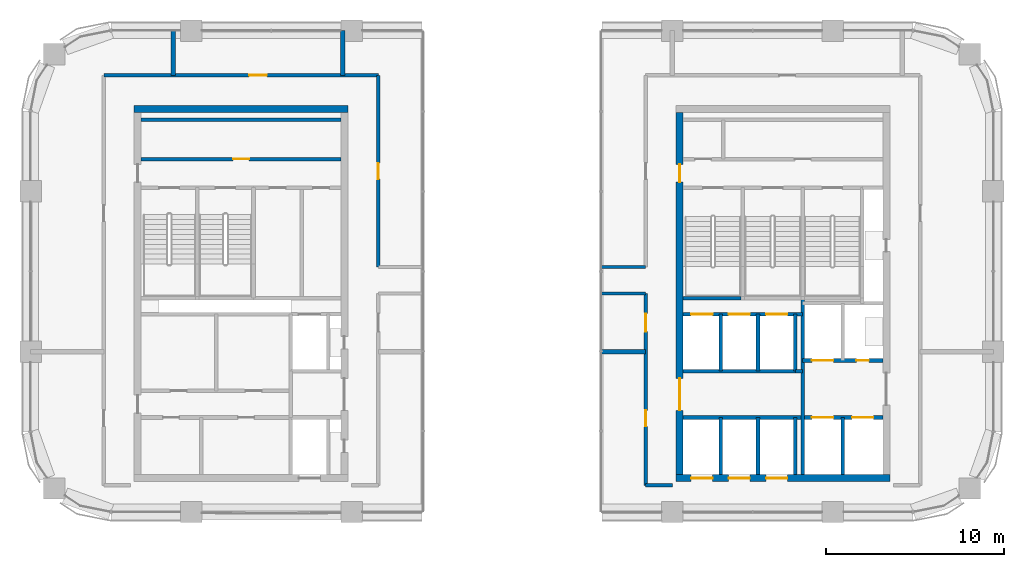
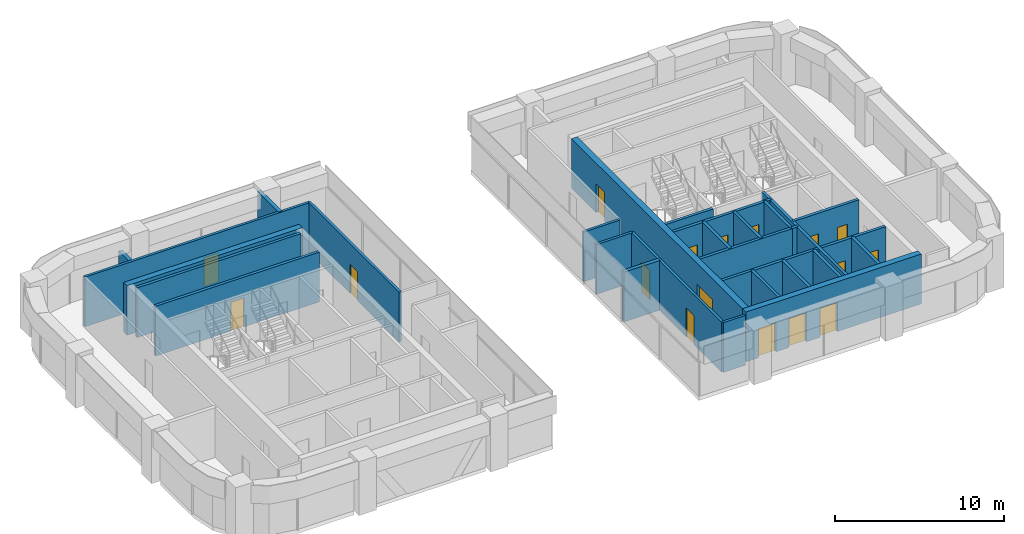
# One storey, part 7 of 11: 28 walls, 17 doors, 17 openings.
"""IFC4 building model written with IfcOpenShell, lengths in metres."""

import ifcopenshell
import ifcopenshell.guid

model = None  # the IFC model being written
_history = None  # IfcOwnerHistory: only IFC2X3 demands one
_inside = {}  # id of a spatial element -> (the spatial element, [elements in it])
_under = {}  # id of a project, library or spatial element -> (it, [spatial elements below it])
_declared = {}  # id of a project -> (the project, [libraries it declares])
_typed = {}  # id of a type object -> (the type object, [elements of that type])
_made_of = {}  # id of a material, layer set ... -> (it, [elements and type objects made of it])


def new_model(schema):
    """Start an empty IFC model of exactly this schema.

    Asked for "IFC4X3", IfcOpenShell would pick the latest addendum, in which some entities
    have other attributes; the version numbers below select the first issue.
    IFC2X3 requires an IfcOwnerHistory on every rooted entity: one is made here for all.
    """
    global model, _history
    if schema == "IFC4X3":
        model = ifcopenshell.file(schema_version=(4, 3, 0, 0))
    else:
        model = ifcopenshell.file(schema=schema)
    _inside.clear()
    _under.clear()
    _declared.clear()
    _typed.clear()
    _made_of.clear()
    _history = None
    if model.schema == "IFC2X3":
        org = make("IfcOrganization", Name="unknown")
        user = make(
            "IfcPersonAndOrganization",
            ThePerson=make("IfcPerson", FamilyName="unknown"),
            TheOrganization=org,
        )
        app = make(
            "IfcApplication",
            ApplicationDeveloper=org,
            Version="unknown",
            ApplicationFullName="unknown",
            ApplicationIdentifier="unknown",
        )
        _history = make(
            "IfcOwnerHistory",
            OwningUser=user,
            OwningApplication=app,
            ChangeAction="ADDED",
            CreationDate=0,
        )
    return model


def make(cls, **values):
    """One entity of the class cls with the attributes given. An attribute that is None is left unset."""
    return model.create_entity(
        cls, **{name: value for name, value in values.items() if value is not None}
    )


def rooted(cls, **values):
    """An entity with a GlobalId (a new one), such as an element, a storey or a relation."""
    return make(cls, GlobalId=ifcopenshell.guid.new(), OwnerHistory=_history, **values)


def si_unit(unit_type, name, prefix=None):
    """IfcSIUnit, for example si_unit("LENGTHUNIT", "METRE", prefix="MILLI")."""
    return make("IfcSIUnit", UnitType=unit_type, Prefix=prefix, Name=name)


def assignment(units):
    """IfcUnitAssignment: the units of a project."""
    return None if units is None else make("IfcUnitAssignment", Units=units)


def point(xyz):
    """IfcCartesianPoint."""
    return None if xyz is None else make("IfcCartesianPoint", Coordinates=xyz)


def direction(xyz):
    """IfcDirection."""
    return None if xyz is None else make("IfcDirection", DirectionRatios=xyz)


def frame(location, z_axis=None, x_axis=None):
    """IfcAxis2Placement3D, a coordinate frame: its origin and axes. An axis left out is left unset."""
    return make(
        "IfcAxis2Placement3D",
        Location=point(location),
        Axis=direction(z_axis),
        RefDirection=direction(x_axis),
    )


def frame_2d(location, x_axis=None):
    """IfcAxis2Placement2D, a coordinate frame in the plane: its origin and x axis."""
    return make(
        "IfcAxis2Placement2D", Location=point(location), RefDirection=direction(x_axis)
    )


def origin():
    """The frame at (0, 0, 0) with its axes left unset."""
    return frame((0.0, 0.0, 0.0))


def place(relative_to, where):
    """IfcLocalPlacement: puts the frame where relative to a parent placement (None: the world)."""
    return make(
        "IfcLocalPlacement", PlacementRelTo=relative_to, RelativePlacement=where
    )


def context(
    kind, dimensions, precision=None, world=None, true_north=None, identifier=None
):
    """IfcGeometricRepresentationContext, for example the 3D "Model" context."""
    return make(
        "IfcGeometricRepresentationContext",
        ContextIdentifier=identifier,
        ContextType=kind,
        CoordinateSpaceDimension=dimensions,
        Precision=precision,
        WorldCoordinateSystem=world,
        TrueNorth=true_north,
    )


def subcontext(parent, identifier, kind, view, scale=None):
    """IfcGeometricRepresentationSubContext, for example "Body" below "Model"."""
    return make(
        "IfcGeometricRepresentationSubContext",
        ContextIdentifier=identifier,
        ContextType=kind,
        ParentContext=parent,
        TargetScale=scale,
        TargetView=view,
    )


def project(units=None, contexts=None):
    """IfcProject with its units and contexts."""
    return rooted(
        "IfcProject",
        Name="project",
        RepresentationContexts=contexts,
        UnitsInContext=assignment(units),
    )


def spatial(cls, under=None, at=None, **own):
    """A site, building, storey or space (cls), placed at a placement, below another one or the project."""
    s = rooted(cls, ObjectPlacement=at, **own)
    if under is not None:
        _under.setdefault(under.id(), (under, []))[1].append(s)
    return s


def profile(cls, at=None, kind="AREA", **sizes):
    """A parametric profile (cls). Its sizes go by their IFC names, for example OverallWidth=200.0."""
    return make(cls, ProfileType=kind, Position=at, **sizes)


def rectangle(**sizes):
    """IfcRectangleProfileDef."""
    return profile("IfcRectangleProfileDef", **sizes)


def extrude(swept, where, along, depth):
    """IfcExtrudedAreaSolid: the profile swept, set in the frame where, extruded along a direction by depth."""
    return make(
        "IfcExtrudedAreaSolid",
        SweptArea=swept,
        Position=where,
        ExtrudedDirection=direction(along),
        Depth=depth,
    )


def shape(context_of_items, identifier, shape_type, items):
    """IfcShapeRepresentation: the items that make up one representation, for example the "Body"."""
    return make(
        "IfcShapeRepresentation",
        ContextOfItems=context_of_items,
        RepresentationIdentifier=identifier,
        RepresentationType=shape_type,
        Items=items,
    )


def material(Name=None, Category=None):
    """IfcMaterial."""
    return make("IfcMaterial", Name=Name, Category=Category)


def layer(
    of_material, thickness, ventilated=None, Name=None, Category=None, Priority=None
):
    """IfcMaterialLayer: one layer of a wall or slab, of a material (None: an air gap)."""
    return make(
        "IfcMaterialLayer",
        Material=of_material,
        LayerThickness=thickness,
        IsVentilated=ventilated,
        Name=Name,
        Category=Category,
        Priority=Priority,
    )


def layer_set(layers, Name=None):
    """IfcMaterialLayerSet."""
    return make("IfcMaterialLayerSet", MaterialLayers=layers, LayerSetName=Name)


def made_of(thing, what):
    """Note that an element or type object is made of a material, layer set ...; save() writes the relation."""
    if what is not None:
        _made_of.setdefault(what.id(), (what, []))[1].append(thing)
    return thing


def type_object(cls, material=None, **own):
    """A type object (cls), such as IfcWallType, which elements share."""
    return made_of(rooted(cls, **own), material)


def element(
    cls,
    number,
    at=None,
    inside=None,
    cuts=None,
    type_object=None,
    material=None,
    context=None,
    identifier="Body",
    shape_type=None,
    held_by="IfcProductDefinitionShape",
    body=None,
    shapes=None,
    **own,
):
    """One element of the class cls, such as IfcWall. Its Tag is "e" and its number.

    at: its placement. inside: the storey or other place that contains it. cuts: it is an
    opening in that element (IfcRelVoidsElement). A single representation is given by context,
    identifier, shape_type and body (its items); several are given by shapes. held_by: the class
    of the entity that holds the representations. save() writes the other relations.
    """
    e = rooted(cls, Tag="e%d" % number, ObjectPlacement=at, **own)
    if body is not None:
        shapes = [shape(context, identifier, shape_type, body)]
    if shapes is not None:
        e.Representation = make(held_by, Representations=shapes)
    if inside is not None:
        _inside.setdefault(inside.id(), (inside, []))[1].append(e)
    if cuts is not None:
        rooted(
            "IfcRelVoidsElement", RelatingBuildingElement=cuts, RelatedOpeningElement=e
        )
    if type_object is not None:
        _typed.setdefault(type_object.id(), (type_object, []))[1].append(e)
    return made_of(e, material)


def fill(opening, filler):
    """IfcRelFillsElement: the door or window that sits in an opening."""
    return rooted(
        "IfcRelFillsElement",
        RelatingOpeningElement=opening,
        RelatedBuildingElement=filler,
    )


def aggregate(whole, parts):
    """IfcRelAggregates: a whole, such as a stair, and the parts it consists of."""
    return rooted("IfcRelAggregates", RelatingObject=whole, RelatedObjects=parts)


def save(model, path):
    """Write the relations noted so far, then the file.

    IfcRelAggregates (storeys below a building ...), IfcRelContainedInSpatialStructure (elements
    in a storey), IfcRelDefinesByType, IfcRelAssociatesMaterial and IfcRelDeclares: one each for
    every whole, place, type object, material and project.
    """
    for whole, parts in _under.values():
        aggregate(whole, parts)
    for where, things in _inside.values():
        rooted(
            "IfcRelContainedInSpatialStructure",
            RelatedElements=things,
            RelatingStructure=where,
        )
    for kind, things in _typed.values():
        rooted("IfcRelDefinesByType", RelatedObjects=things, RelatingType=kind)
    for what, things in _made_of.values():
        rooted("IfcRelAssociatesMaterial", RelatedObjects=things, RelatingMaterial=what)
    for by, libraries in _declared.values():
        rooted("IfcRelDeclares", RelatingContext=by, RelatedDefinitions=libraries)
    model.write(path)


model = new_model("IFC4")

# Units and contexts
model_context = context("Model", 3, precision=1e-05, world=origin(), true_north=direction((0.0, 1.0)))
body_context = subcontext(model_context, "Body", "Model", "MODEL_VIEW")
ifc_project = project(units=[si_unit("LENGTHUNIT", "METRE"), si_unit("AREAUNIT", "SQUARE_METRE"), si_unit("VOLUMEUNIT", "CUBIC_METRE"), si_unit("PLANEANGLEUNIT", "RADIAN"), si_unit("MASSUNIT", "GRAM", prefix="KILO")], contexts=[model_context])

# Site, building, storey
site_placement = place(None, origin())
site = spatial("IfcSite", under=ifc_project, at=site_placement, CompositionType="ELEMENT")
building_placement = place(site_placement, origin())
building = spatial("IfcBuilding", under=site, at=building_placement, Name="Tessera Arch", CompositionType="ELEMENT")
storey_placement = place(building_placement, frame((0.0, 0.0, 211.10009765625)))
storey = spatial("IfcBuildingStorey", under=building, at=storey_placement, Name="L50", CompositionType="ELEMENT", Elevation=211.10009765625)

# Wall
ifc_material_1 = material(Name="Gypsum board on steel stud", Category="steel")
ifc_layer_1 = layer(ifc_material_1, 0.125)
ifc_layer_set_1 = layer_set([ifc_layer_1], Name="Core partition 125 EI 60")
wall_type_1 = type_object("IfcWallType", Name="Core partition 125 EI 60", PredefinedType="PARTITIONING", material=ifc_layer_set_1)
wall_1_placement = place(storey_placement, frame((42.89990234375, 34.89990234375, 0.0), z_axis=(0.0, 0.0, 1.0), x_axis=(1.0, 0.0, 0.0)))
element("IfcWall", 1, at=wall_1_placement, inside=storey, type_object=wall_type_1, Name="L50 C1 partition wall 19", PredefinedType="PARTITIONING", context=body_context, shape_type="SweptSolid", body=[
    extrude(rectangle(XDim=0.400146484375, YDim=0.199951171875, at=frame_2d((0.2001953125, 0.0))), origin(), (0.0, 0.0, 1.0), 3.599853515625),
])

# Wall, opening, door
wall_2_placement = place(storey_placement, frame((6.199951171875, 46.800048828125, 0.0), z_axis=(0.0, 0.0, 1.0), x_axis=(1.0, 0.0, 0.0)))
wall_2 = element("IfcWall", 2, at=wall_2_placement, inside=storey, type_object=wall_type_1, Name="L50 C2 partition wall 24", PredefinedType="PARTITIONING", context=body_context, shape_type="SweptSolid", body=[
    extrude(rectangle(XDim=11.199951171875, YDim=0.199951171875, at=frame_2d((5.60009765625, 0.0))), origin(), (0.0, 0.0, 1.0), 3.599853515625),
])
opening_1_placement = place(wall_2_placement, frame((5.14990234375, 0.0, 0.0)))
opening_1 = element("IfcOpeningElement", 3, at=opening_1_placement, cuts=wall_2, Name="Opening L50-C29", PredefinedType="OPENING", context=body_context, shape_type="SweptSolid", body=[
    extrude(rectangle(XDim=0.89990234375, YDim=2.10009765625, at=frame_2d((0.449951171875, 1.050048828125))), frame((0.0, 0.10986328125, 0.0), z_axis=(0.0, -1.0, 0.0), x_axis=(1.0, 0.0, 0.0)), (0.0, 0.0, 1.0), 0.219970703125),
])
ifc_material_2 = material(Name="Steel door leaf", Category="steel")
door_type_1 = type_object("IfcDoorType", Name="Store door FD30S 900 x 2100", OperationType="SINGLE_SWING_LEFT", PredefinedType="DOOR", material=ifc_material_2)
door_1_placement = place(opening_1_placement, origin())
door_1 = element("IfcDoor", 4, at=door_1_placement, inside=storey, type_object=door_type_1, Name="L50 C2 door 10 C29 type D09", OperationType="SINGLE_SWING_RIGHT", OverallHeight=2.10009765625, OverallWidth=0.89990234375, PredefinedType="DOOR", context=body_context, shape_type="SweptSolid", body=[
    extrude(rectangle(XDim=0.89990234375, YDim=2.10009765625, at=frame_2d((0.449951171875, 1.050048828125))), frame((0.0, 0.02490234375, 0.0), z_axis=(0.0, -1.0, 0.0), x_axis=(1.0, 0.0, 0.0)), (0.0, 0.0, 1.0), 0.050048828125),
])
fill(opening_1, door_1)

# Wall
wall_3_placement = place(storey_placement, frame((6.199951171875, 49.0, 0.0), z_axis=(0.0, 0.0, 1.0), x_axis=(1.0, 0.0, 0.0)))
element("IfcWall", 5, at=wall_3_placement, inside=storey, type_object=wall_type_1, Name="L50 C2 partition wall 25", PredefinedType="PARTITIONING", context=body_context, shape_type="SweptSolid", body=[
    extrude(rectangle(XDim=11.199951171875, YDim=0.199951171875, at=frame_2d((5.60009765625, 0.0))), origin(), (0.0, 0.0, 1.0), 3.599853515625),
])

# Wall, openings, doors
ifc_material_3 = material(Name="Concrete C50/60", Category="concrete")
ifc_layer_2 = layer(ifc_material_3, 0.39990234375)
ifc_layer_set_2 = layer_set([ifc_layer_2], Name="Core shell wall 400 C50-60")
wall_type_2 = type_object("IfcWallType", Name="Core shell wall 400 C50-60", PredefinedType="SHEAR", material=ifc_layer_set_2)
wall_4_placement = place(storey_placement, frame((36.199951171875, 28.89990234375, 0.0), z_axis=(0.0, 0.0, 1.0), x_axis=(1.0, 0.0, 0.0)))
wall_4 = element("IfcWall", 6, at=wall_4_placement, inside=storey, type_object=wall_type_2, Name="L50 C1 core wall S", PredefinedType="SHEAR", context=body_context, shape_type="SweptSolid", body=[
    extrude(rectangle(XDim=12.0, YDim=0.39990234375, at=frame_2d((6.0, 0.0))), origin(), (0.0, 0.0, 1.0), 3.599853515625),
])
opening_2_placement = place(wall_4_placement, frame((0.85009765625, 0.0, 0.0)))
opening_2 = element("IfcOpeningElement", 7, at=opening_2_placement, cuts=wall_4, Name="Opening L50-C01", PredefinedType="OPENING", context=body_context, shape_type="SweptSolid", body=[
    extrude(rectangle(XDim=1.199951171875, YDim=2.10009765625, at=frame_2d((0.60009765625, 1.050048828125))), frame((0.0, 0.2099609375, 0.0), z_axis=(0.0, -1.0, 0.0), x_axis=(1.0, 0.0, 0.0)), (0.0, 0.0, 1.0), 0.419921875),
])
opening_3_placement = place(wall_4_placement, frame((2.949951171875, 0.0, 0.0)))
opening_3 = element("IfcOpeningElement", 8, at=opening_3_placement, cuts=wall_4, Name="Opening L50-C03", PredefinedType="OPENING", context=body_context, shape_type="SweptSolid", body=[
    extrude(rectangle(XDim=1.199951171875, YDim=2.10009765625, at=frame_2d((0.60009765625, 1.050048828125))), frame((0.0, 0.2099609375, 0.0), z_axis=(0.0, -1.0, 0.0), x_axis=(1.0, 0.0, 0.0)), (0.0, 0.0, 1.0), 0.419921875),
])
opening_4_placement = place(wall_4_placement, frame((5.050048828125, 0.0, 0.0)))
opening_4 = element("IfcOpeningElement", 9, at=opening_4_placement, cuts=wall_4, Name="Opening L50-C05", PredefinedType="OPENING", context=body_context, shape_type="SweptSolid", body=[
    extrude(rectangle(XDim=1.199951171875, YDim=2.10009765625, at=frame_2d((0.60009765625, 1.050048828125))), frame((0.0, 0.2099609375, 0.0), z_axis=(0.0, -1.0, 0.0), x_axis=(1.0, 0.0, 0.0)), (0.0, 0.0, 1.0), 0.419921875),
])
ifc_material_4 = material(Name="Stainless steel AISI 304", Category="steel")
door_type_2 = type_object("IfcDoorType", Name="Sliding landing door 1200 x 2100", OperationType="SLIDING_TO_LEFT", PredefinedType="DOOR", material=ifc_material_4)
door_2_placement = place(opening_2_placement, origin())
door_2 = element("IfcDoor", 10, at=door_2_placement, inside=storey, type_object=door_type_2, Name="L50 HR1 lift landing door C01 type LD", OperationType="SLIDING_TO_LEFT", OverallHeight=2.10009765625, OverallWidth=1.199951171875, PredefinedType="DOOR", context=body_context, shape_type="SweptSolid", body=[
    extrude(rectangle(XDim=1.199951171875, YDim=2.10009765625, at=frame_2d((0.60009765625, 1.050048828125))), frame((0.0, 0.02490234375, 0.0), z_axis=(0.0, -1.0, 0.0), x_axis=(1.0, 0.0, 0.0)), (0.0, 0.0, 1.0), 0.050048828125),
])
fill(opening_2, door_2)
door_3_placement = place(opening_3_placement, origin())
door_3 = element("IfcDoor", 11, at=door_3_placement, inside=storey, type_object=door_type_2, Name="L50 HR2 lift landing door C03 type LD", OperationType="SLIDING_TO_LEFT", OverallHeight=2.10009765625, OverallWidth=1.199951171875, PredefinedType="DOOR", context=body_context, shape_type="SweptSolid", body=[
    extrude(rectangle(XDim=1.199951171875, YDim=2.10009765625, at=frame_2d((0.60009765625, 1.050048828125))), frame((0.0, 0.02490234375, 0.0), z_axis=(0.0, -1.0, 0.0), x_axis=(1.0, 0.0, 0.0)), (0.0, 0.0, 1.0), 0.050048828125),
])
fill(opening_3, door_3)
door_4_placement = place(opening_4_placement, origin())
door_4 = element("IfcDoor", 12, at=door_4_placement, inside=storey, type_object=door_type_2, Name="L50 HR3 lift landing door C05 type LD", OperationType="SLIDING_TO_LEFT", OverallHeight=2.10009765625, OverallWidth=1.199951171875, PredefinedType="DOOR", context=body_context, shape_type="SweptSolid", body=[
    extrude(rectangle(XDim=1.199951171875, YDim=2.10009765625, at=frame_2d((0.60009765625, 1.050048828125))), frame((0.0, 0.02490234375, 0.0), z_axis=(0.0, -1.0, 0.0), x_axis=(1.0, 0.0, 0.0)), (0.0, 0.0, 1.0), 0.050048828125),
])
fill(opening_4, door_4)

wall_5_placement = place(storey_placement, frame((36.39990234375, 29.10009765625, 0.0), z_axis=(0.0, 0.0, 1.0), x_axis=(0.0, 1.0, 0.0)))
wall_5 = element("IfcWall", 13, at=wall_5_placement, inside=storey, type_object=wall_type_2, Name="L50 C1 core wall W", PredefinedType="SHEAR", context=body_context, shape_type="SweptSolid", body=[
    extrude(rectangle(XDim=20.2998046875, YDim=0.39990234375, at=frame_2d((10.14990234375, 0.0))), origin(), (0.0, 0.0, 1.0), 3.599853515625),
])
opening_5_placement = place(wall_5_placement, frame((3.60009765625, 0.0, 0.0)))
opening_5 = element("IfcOpeningElement", 14, at=opening_5_placement, cuts=wall_5, Name="Opening L50-C10", PredefinedType="OPENING", context=body_context, shape_type="SweptSolid", body=[
    extrude(rectangle(XDim=1.800048828125, YDim=2.10009765625, at=frame_2d((0.89990234375, 1.050048828125))), frame((0.0, 0.2099609375, 0.0), z_axis=(0.0, -1.0, 0.0), x_axis=(1.0, 0.0, 0.0)), (0.0, 0.0, 1.0), 0.419921875),
])
opening_6_placement = place(wall_5_placement, frame((16.39990234375, 0.0, 0.0)))
opening_6 = element("IfcOpeningElement", 15, at=opening_6_placement, cuts=wall_5, Name="Opening L50-C17", PredefinedType="OPENING", context=body_context, shape_type="SweptSolid", body=[
    extrude(rectangle(XDim=1.0, YDim=2.10009765625, at=frame_2d((0.5, 1.050048828125))), frame((0.0, 0.2099609375, 0.0), z_axis=(0.0, -1.0, 0.0), x_axis=(1.0, 0.0, 0.0)), (0.0, 0.0, 1.0), 0.419921875),
])
ifc_material_5 = material(Name="Steel door leaf", Category="steel")
door_type_3 = type_object("IfcDoorType", Name="Corridor door FD60 1000 x 2100", OperationType="SINGLE_SWING_LEFT", PredefinedType="DOOR", material=ifc_material_5)
door_5_placement = place(opening_6_placement, origin())
door_5 = element("IfcDoor", 16, at=door_5_placement, inside=storey, type_object=door_type_3, Name="L50 C1 door 17 C17 type D12", OperationType="SINGLE_SWING_RIGHT", OverallHeight=2.10009765625, OverallWidth=1.0, PredefinedType="DOOR", context=body_context, shape_type="SweptSolid", body=[
    extrude(rectangle(XDim=1.0, YDim=2.10009765625, at=frame_2d((0.5, 1.050048828125))), frame((0.0, 0.02490234375, 0.0), z_axis=(0.0, -1.0, 0.0), x_axis=(1.0, 0.0, 0.0)), (0.0, 0.0, 1.0), 0.050048828125),
])
fill(opening_6, door_5)
ifc_material_6 = material(Name="Glazed steel door leaf", Category="steel")
door_type_4 = type_object("IfcDoorType", Name="Lobby double door FD30S 1800 x 2100", OperationType="DOUBLE_DOOR_SINGLE_SWING", PredefinedType="DOOR", material=ifc_material_6)
door_6_placement = place(opening_5_placement, origin())
door_6 = element("IfcDoor", 17, at=door_6_placement, inside=storey, type_object=door_type_4, Name="L50 C1 door 10 C10 type D06", OperationType="DOUBLE_DOOR_SINGLE_SWING", OverallHeight=2.10009765625, OverallWidth=1.800048828125, PredefinedType="DOOR", context=body_context, shape_type="SweptSolid", body=[
    extrude(rectangle(XDim=1.800048828125, YDim=2.10009765625, at=frame_2d((0.89990234375, 1.050048828125))), frame((0.0, 0.02490234375, 0.0), z_axis=(0.0, -1.0, 0.0), x_axis=(1.0, 0.0, 0.0)), (0.0, 0.0, 1.0), 0.050048828125),
])
fill(opening_5, door_6)

# Walls
wall_6_placement = place(storey_placement, frame((5.800048828125, 49.60009765625, 0.0), z_axis=(0.0, 0.0, 1.0), x_axis=(1.0, 0.0, 0.0)))
element("IfcWall", 18, at=wall_6_placement, inside=storey, type_object=wall_type_2, Name="L50 C2 core wall N", PredefinedType="SHEAR", context=body_context, shape_type="SweptSolid", body=[
    extrude(rectangle(XDim=12.0, YDim=0.39990234375, at=frame_2d((6.0, 0.0))), origin(), (0.0, 0.0, 1.0), 3.599853515625),
])
ifc_material_7 = material(Name="Gypsum board on deep steel stud with mineral wool", Category="steel")
ifc_layer_3 = layer(ifc_material_7, 0.175048828125)
ifc_layer_set_3 = layer_set([ifc_layer_3], Name="Corridor wall 175 EI 60")
wall_type_3 = type_object("IfcWallType", Name="Corridor wall 175 EI 60", PredefinedType="PARTITIONING", material=ifc_layer_set_3)
wall_7_placement = place(storey_placement, frame((34.5, 28.5, 0.0), z_axis=(0.0, 0.0, 1.0), x_axis=(1.0, 0.0, 0.0)))
element("IfcWall", 19, at=wall_7_placement, inside=storey, type_object=wall_type_3, Name="L50 partition 3", PredefinedType="PARTITIONING", context=body_context, shape_type="SweptSolid", body=[
    extrude(rectangle(XDim=1.5, YDim=0.175048828125, at=frame_2d((0.75, 0.0))), origin(), (0.0, 0.0, 1.0), 3.599853515625),
])
for number, where, z_axis, x_axis, name in (
    (20, (32.0, 39.25, 0.0), (0.0, 0.0, 1.0), (1.0, 0.0, 0.0), "L50 partition 6"),
    (21, (32.0, 40.75, 0.0), (0.0, 0.0, 1.0), (1.0, 0.0, 0.0), "L50 partition 8"),
):
    element("IfcWall", number, at=place(storey_placement, frame(where, z_axis=z_axis, x_axis=x_axis)), inside=storey, type_object=wall_type_3, Name=name, PredefinedType="PARTITIONING", context=body_context, shape_type="SweptSolid", body=[
        extrude(rectangle(XDim=2.5, YDim=0.175048828125, at=frame_2d((1.25, 0.0))), origin(), (0.0, 0.0, 1.0), 3.599853515625),
    ])

# Wall, opening, door
wall_8_placement = place(storey_placement, frame((4.10009765625, 51.5, 0.0), z_axis=(0.0, 0.0, 1.0), x_axis=(1.0, 0.0, 0.0)))
wall_8 = element("IfcWall", 22, at=wall_8_placement, inside=storey, type_object=wall_type_3, Name="L50 partition 9", PredefinedType="PARTITIONING", context=body_context, shape_type="SweptSolid", body=[
    extrude(rectangle(XDim=15.39990234375, YDim=0.175048828125, at=frame_2d((7.699951171875, 0.0))), origin(), (0.0, 0.0, 1.0), 3.599853515625),
])
opening_7_placement = place(wall_8_placement, frame((8.148681640625, 0.0, 0.0)))
opening_7 = element("IfcOpeningElement", 23, at=opening_7_placement, cuts=wall_8, Name="Opening L50-D009", PredefinedType="OPENING", context=body_context, shape_type="SweptSolid", body=[
    extrude(rectangle(XDim=1.0, YDim=2.10009765625, at=frame_2d((0.5, 1.050048828125))), frame((0.0, 0.097412109375, 0.0), z_axis=(0.0, -1.0, 0.0), x_axis=(1.0, 0.0, 0.0)), (0.0, 0.0, 1.0), 0.195068359375),
])
ifc_material_8 = material(Name="Fire-rated door leaf")
door_type_5 = type_object("IfcDoorType", Name="Entrance door FD30S 1000 x 2100", OperationType="SINGLE_SWING_LEFT", PredefinedType="DOOR", material=ifc_material_8)
door_7_placement = place(opening_7_placement, origin())
door_7 = element("IfcDoor", 24, at=door_7_placement, inside=storey, type_object=door_type_5, Name="L50 door D009 type D03", OperationType="SINGLE_SWING_LEFT", OverallHeight=2.10009765625, OverallWidth=1.0, PredefinedType="DOOR", context=body_context, shape_type="SweptSolid", body=[
    extrude(rectangle(XDim=1.0, YDim=2.10009765625, at=frame_2d((0.5, 1.050048828125))), frame((0.0, 0.02490234375, 0.0), z_axis=(0.0, -1.0, 0.0), x_axis=(1.0, 0.0, 0.0)), (0.0, 0.0, 1.0), 0.050048828125),
])
fill(opening_7, door_7)

wall_9_placement = place(storey_placement, frame((19.5, 40.75, 0.0), z_axis=(0.0, 0.0, 1.0), x_axis=(0.0, 1.0, 0.0)))
wall_9 = element("IfcWall", 25, at=wall_9_placement, inside=storey, type_object=wall_type_3, Name="L50 partition 13", PredefinedType="PARTITIONING", context=body_context, shape_type="SweptSolid", body=[
    extrude(rectangle(XDim=10.75, YDim=0.175048828125, at=frame_2d((5.375, 0.0))), origin(), (0.0, 0.0, 1.0), 3.599853515625),
])
opening_8_placement = place(wall_9_placement, frame((4.925048828125, 0.0, 0.0)))
opening_8 = element("IfcOpeningElement", 26, at=opening_8_placement, cuts=wall_9, Name="Opening L50-D008", PredefinedType="OPENING", context=body_context, shape_type="SweptSolid", body=[
    extrude(rectangle(XDim=0.89990234375, YDim=2.10009765625, at=frame_2d((0.449951171875, 1.050048828125))), frame((0.0, 0.097412109375, 0.0), z_axis=(0.0, -1.0, 0.0), x_axis=(1.0, 0.0, 0.0)), (0.0, 0.0, 1.0), 0.195068359375),
])
ifc_material_9 = material(Name="Timber door leaf", Category="wood")
door_type_6 = type_object("IfcDoorType", Name="Room door 900 x 2100", OperationType="SINGLE_SWING_LEFT", PredefinedType="DOOR", material=ifc_material_9)
door_8_placement = place(opening_8_placement, origin())
door_8 = element("IfcDoor", 27, at=door_8_placement, inside=storey, type_object=door_type_6, Name="L50 door D008 type D01", OperationType="SINGLE_SWING_LEFT", OverallHeight=2.10009765625, OverallWidth=0.89990234375, PredefinedType="DOOR", context=body_context, shape_type="SweptSolid", body=[
    extrude(rectangle(XDim=0.89990234375, YDim=2.10009765625, at=frame_2d((0.449951171875, 1.050048828125))), frame((0.0, 0.02490234375, 0.0), z_axis=(0.0, -1.0, 0.0), x_axis=(1.0, 0.0, 0.0)), (0.0, 0.0, 1.0), 0.050048828125),
])
fill(opening_8, door_8)

# Wall, openings, doors
wall_10_placement = place(storey_placement, frame((34.5, 28.5, 0.0), z_axis=(0.0, 0.0, 1.0), x_axis=(0.0, 1.0, 0.0)))
wall_10 = element("IfcWall", 28, at=wall_10_placement, inside=storey, type_object=wall_type_3, Name="L50 partition 14", PredefinedType="PARTITIONING", context=body_context, shape_type="SweptSolid", body=[
    extrude(rectangle(XDim=10.75, YDim=0.175048828125, at=frame_2d((5.375, 0.0))), origin(), (0.0, 0.0, 1.0), 3.599853515625),
])
opening_9_placement = place(wall_10_placement, frame((3.300048828125, 0.0, 0.0)))
opening_9 = element("IfcOpeningElement", 29, at=opening_9_placement, cuts=wall_10, Name="Opening L50-D002", PredefinedType="OPENING", context=body_context, shape_type="SweptSolid", body=[
    extrude(rectangle(XDim=0.89990234375, YDim=2.10009765625, at=frame_2d((0.449951171875, 1.050048828125))), frame((0.0, 0.097412109375, 0.0), z_axis=(0.0, -1.0, 0.0), x_axis=(1.0, 0.0, 0.0)), (0.0, 0.0, 1.0), 0.195068359375),
])
opening_10_placement = place(wall_10_placement, frame((8.625, 0.0, 0.0)))
opening_10 = element("IfcOpeningElement", 30, at=opening_10_placement, cuts=wall_10, Name="Opening L50-D004", PredefinedType="OPENING", context=body_context, shape_type="SweptSolid", body=[
    extrude(rectangle(XDim=1.0, YDim=2.10009765625, at=frame_2d((0.5, 1.050048828125))), frame((0.0, 0.097412109375, 0.0), z_axis=(0.0, -1.0, 0.0), x_axis=(1.0, 0.0, 0.0)), (0.0, 0.0, 1.0), 0.195068359375),
])
door_9_placement = place(opening_10_placement, origin())
door_9 = element("IfcDoor", 31, at=door_9_placement, inside=storey, type_object=door_type_5, Name="L50 door D004 type D03", OperationType="SINGLE_SWING_RIGHT", OverallHeight=2.10009765625, OverallWidth=1.0, PredefinedType="DOOR", context=body_context, shape_type="SweptSolid", body=[
    extrude(rectangle(XDim=1.0, YDim=2.10009765625, at=frame_2d((0.5, 1.050048828125))), frame((0.0, 0.02490234375, 0.0), z_axis=(0.0, -1.0, 0.0), x_axis=(1.0, 0.0, 0.0)), (0.0, 0.0, 1.0), 0.050048828125),
])
fill(opening_10, door_9)
door_10_placement = place(opening_9_placement, origin())
door_10 = element("IfcDoor", 32, at=door_10_placement, inside=storey, type_object=door_type_6, Name="L50 door D002 type D01", OperationType="SINGLE_SWING_RIGHT", OverallHeight=2.10009765625, OverallWidth=0.89990234375, PredefinedType="DOOR", context=body_context, shape_type="SweptSolid", body=[
    extrude(rectangle(XDim=0.89990234375, YDim=2.10009765625, at=frame_2d((0.449951171875, 1.050048828125))), frame((0.0, 0.02490234375, 0.0), z_axis=(0.0, -1.0, 0.0), x_axis=(1.0, 0.0, 0.0)), (0.0, 0.0, 1.0), 0.050048828125),
])
fill(opening_9, door_10)

# Walls
ifc_material_10 = material(Name="Double gypsum board on twin steel stud with acoustic mineral wool", Category="steel")
ifc_layer_4 = layer(ifc_material_10, 0.25)
ifc_layer_set_4 = layer_set([ifc_layer_4], Name="Party wall 250 EI 60")
wall_type_4 = type_object("IfcWallType", Name="Party wall 250 EI 60", PredefinedType="PARTITIONING", material=ifc_layer_set_4)
wall_11_placement = place(storey_placement, frame((32.0, 36.0, 0.0), z_axis=(0.0, 0.0, 1.0), x_axis=(1.0, 0.0, 0.0)))
element("IfcWall", 33, at=wall_11_placement, inside=storey, type_object=wall_type_4, Name="L50 partition 19", PredefinedType="PARTITIONING", context=body_context, shape_type="SweptSolid", body=[
    extrude(rectangle(XDim=2.5, YDim=0.25, at=frame_2d((1.25, 0.0))), origin(), (0.0, 0.0, 1.0), 3.599853515625),
])
wall_12_placement = place(storey_placement, frame((8.0, 51.5, 0.0), z_axis=(0.0, 0.0, 1.0), x_axis=(0.0, 1.0, 0.0)))
element("IfcWall", 34, at=wall_12_placement, inside=storey, type_object=wall_type_4, Name="L50 partition 21", PredefinedType="PARTITIONING", context=body_context, shape_type="SweptSolid", body=[
    extrude(rectangle(XDim=2.5, YDim=0.25, at=frame_2d((1.25, 0.0))), origin(), (0.0, 0.0, 1.0), 2.599853515625),
])
wall_13_placement = place(storey_placement, frame((17.4970703125, 51.5, 0.0), z_axis=(0.0, 0.0, 1.0), x_axis=(0.0, 1.0, 0.0)))
element("IfcWall", 35, at=wall_13_placement, inside=storey, type_object=wall_type_4, Name="L50 partition 22", PredefinedType="PARTITIONING", context=body_context, shape_type="SweptSolid", body=[
    extrude(rectangle(XDim=2.5, YDim=0.25, at=frame_2d((1.25, 0.0))), origin(), (0.0, 0.0, 1.0), 3.599853515625),
])
ifc_material_11 = material(Name="Concrete C40/50", Category="concrete")
ifc_layer_5 = layer(ifc_material_11, 0.199951171875)
ifc_layer_set_5 = layer_set([ifc_layer_5], Name="Shaft wall 200 EI 120")
wall_type_5 = type_object("IfcWallType", Name="Shaft wall 200 EI 120", PredefinedType="SOLIDWALL", material=ifc_layer_set_5)
wall_14_placement = place(storey_placement, frame((38.699951171875, 29.10009765625, 0.0), z_axis=(0.0, 0.0, 1.0), x_axis=(0.0, 1.0, 0.0)))
element("IfcWall", 36, at=wall_14_placement, inside=storey, type_object=wall_type_5, Name="L50 C1 shaft wall 1", PredefinedType="SOLIDWALL", context=body_context, shape_type="SweptSolid", body=[
    extrude(rectangle(XDim=3.199951171875, YDim=0.199951171875, at=frame_2d((1.60009765625, 0.0))), origin(), (0.0, 0.0, 1.0), 3.599853515625),
])
wall_15_placement = place(storey_placement, frame((38.699951171875, 34.89990234375, 0.0), z_axis=(0.0, 0.0, 1.0), x_axis=(0.0, 1.0, 0.0)))
element("IfcWall", 37, at=wall_15_placement, inside=storey, type_object=wall_type_5, Name="L50 C1 shaft wall 2", PredefinedType="SOLIDWALL", context=body_context, shape_type="SweptSolid", body=[
    extrude(rectangle(XDim=3.2001953125, YDim=0.199951171875, at=frame_2d((1.60009765625, 0.0))), origin(), (0.0, 0.0, 1.0), 3.599853515625),
])
wall_16_placement = place(storey_placement, frame((40.800048828125, 29.10009765625, 0.0), z_axis=(0.0, 0.0, 1.0), x_axis=(0.0, 1.0, 0.0)))
element("IfcWall", 38, at=wall_16_placement, inside=storey, type_object=wall_type_5, Name="L50 C1 shaft wall 6", PredefinedType="SOLIDWALL", context=body_context, shape_type="SweptSolid", body=[
    extrude(rectangle(XDim=3.199951171875, YDim=0.199951171875, at=frame_2d((1.60009765625, 0.0))), origin(), (0.0, 0.0, 1.0), 3.599853515625),
])
wall_17_placement = place(storey_placement, frame((40.800048828125, 34.89990234375, 0.0), z_axis=(0.0, 0.0, 1.0), x_axis=(0.0, 1.0, 0.0)))
element("IfcWall", 39, at=wall_17_placement, inside=storey, type_object=wall_type_5, Name="L50 C1 shaft wall 7", PredefinedType="SOLIDWALL", context=body_context, shape_type="SweptSolid", body=[
    extrude(rectangle(XDim=3.2001953125, YDim=0.199951171875, at=frame_2d((1.60009765625, 0.0))), origin(), (0.0, 0.0, 1.0), 3.599853515625),
])
wall_18_placement = place(storey_placement, frame((42.89990234375, 29.10009765625, 0.0), z_axis=(0.0, 0.0, 1.0), x_axis=(0.0, 1.0, 0.0)))
element("IfcWall", 40, at=wall_18_placement, inside=storey, type_object=wall_type_5, Name="L50 C1 shaft wall 8", PredefinedType="SOLIDWALL", context=body_context, shape_type="SweptSolid", body=[
    extrude(rectangle(XDim=3.199951171875, YDim=0.199951171875, at=frame_2d((1.60009765625, 0.0))), origin(), (0.0, 0.0, 1.0), 3.599853515625),
])
wall_19_placement = place(storey_placement, frame((42.89990234375, 34.89990234375, 0.0), z_axis=(0.0, 0.0, 1.0), x_axis=(0.0, 1.0, 0.0)))
element("IfcWall", 41, at=wall_19_placement, inside=storey, type_object=wall_type_5, Name="L50 C1 shaft wall 9", PredefinedType="SOLIDWALL", context=body_context, shape_type="SweptSolid", body=[
    extrude(rectangle(XDim=3.2001953125, YDim=0.199951171875, at=frame_2d((1.60009765625, 0.0))), origin(), (0.0, 0.0, 1.0), 3.599853515625),
])
wall_20_placement = place(storey_placement, frame((43.300048828125, 29.10009765625, 0.0), z_axis=(0.0, 0.0, 1.0), x_axis=(0.0, 1.0, 0.0)))
element("IfcWall", 42, at=wall_20_placement, inside=storey, type_object=wall_type_5, Name="L50 C1 shaft wall 10", PredefinedType="SOLIDWALL", context=body_context, shape_type="SweptSolid", body=[
    extrude(rectangle(XDim=9.89990234375, YDim=0.199951171875, at=frame_2d((4.949951171875, 0.0))), origin(), (0.0, 0.0, 1.0), 3.599853515625),
])
wall_21_placement = place(storey_placement, frame((45.550048828125, 29.10009765625, 0.0), z_axis=(0.0, 0.0, 1.0), x_axis=(0.0, 1.0, 0.0)))
element("IfcWall", 43, at=wall_21_placement, inside=storey, type_object=wall_type_5, Name="L50 C1 shaft wall 13", PredefinedType="SOLIDWALL", context=body_context, shape_type="SweptSolid", body=[
    extrude(rectangle(XDim=3.199951171875, YDim=0.199951171875, at=frame_2d((1.60009765625, 0.0))), origin(), (0.0, 0.0, 1.0), 3.599853515625),
])

# Wall, openings, doors
wall_22_placement = place(storey_placement, frame((36.60009765625, 32.300048828125, 0.0), z_axis=(0.0, 0.0, 1.0), x_axis=(1.0, 0.0, 0.0)))
wall_22 = element("IfcWall", 44, at=wall_22_placement, inside=storey, type_object=wall_type_5, Name="L50 C1 shaft wall 18", PredefinedType="SOLIDWALL", context=body_context, shape_type="SweptSolid", body=[
    extrude(rectangle(XDim=11.199951171875, YDim=0.199951171875, at=frame_2d((5.60009765625, 0.0))), origin(), (0.0, 0.0, 1.0), 3.599853515625),
])
opening_11_placement = place(wall_22_placement, frame((7.22509765625, 0.0, 0.0)))
opening_11 = element("IfcOpeningElement", 45, at=opening_11_placement, cuts=wall_22, Name="Opening L50-C07", PredefinedType="OPENING", context=body_context, shape_type="SweptSolid", body=[
    extrude(rectangle(XDim=1.199951171875, YDim=2.10009765625, at=frame_2d((0.60009765625, 1.050048828125))), frame((0.0, 0.10986328125, 0.0), z_axis=(0.0, -1.0, 0.0), x_axis=(1.0, 0.0, 0.0)), (0.0, 0.0, 1.0), 0.219970703125),
])
opening_12_placement = place(wall_22_placement, frame((9.47509765625, 0.0, 0.0)))
opening_12 = element("IfcOpeningElement", 46, at=opening_12_placement, cuts=wall_22, Name="Opening L50-C08", PredefinedType="OPENING", context=body_context, shape_type="SweptSolid", body=[
    extrude(rectangle(XDim=1.199951171875, YDim=2.10009765625, at=frame_2d((0.60009765625, 1.050048828125))), frame((0.0, 0.10986328125, 0.0), z_axis=(0.0, -1.0, 0.0), x_axis=(1.0, 0.0, 0.0)), (0.0, 0.0, 1.0), 0.219970703125),
])
door_11_placement = place(opening_11_placement, origin())
door_11 = element("IfcDoor", 47, at=door_11_placement, inside=storey, type_object=door_type_2, Name="L50 FF1 lift landing door C07 type LD", OperationType="SLIDING_TO_LEFT", OverallHeight=2.10009765625, OverallWidth=1.199951171875, PredefinedType="DOOR", context=body_context, shape_type="SweptSolid", body=[
    extrude(rectangle(XDim=1.199951171875, YDim=2.10009765625, at=frame_2d((0.60009765625, 1.050048828125))), frame((0.0, 0.02490234375, 0.0), z_axis=(0.0, -1.0, 0.0), x_axis=(1.0, 0.0, 0.0)), (0.0, 0.0, 1.0), 0.050048828125),
])
fill(opening_11, door_11)
door_12_placement = place(opening_12_placement, origin())
door_12 = element("IfcDoor", 48, at=door_12_placement, inside=storey, type_object=door_type_2, Name="L50 FF2 lift landing door C08 type LD", OperationType="SLIDING_TO_LEFT", OverallHeight=2.10009765625, OverallWidth=1.199951171875, PredefinedType="DOOR", context=body_context, shape_type="SweptSolid", body=[
    extrude(rectangle(XDim=1.199951171875, YDim=2.10009765625, at=frame_2d((0.60009765625, 1.050048828125))), frame((0.0, 0.02490234375, 0.0), z_axis=(0.0, -1.0, 0.0), x_axis=(1.0, 0.0, 0.0)), (0.0, 0.0, 1.0), 0.050048828125),
])
fill(opening_12, door_12)

# Wall
wall_23_placement = place(storey_placement, frame((36.60009765625, 34.89990234375, 0.0), z_axis=(0.0, 0.0, 1.0), x_axis=(1.0, 0.0, 0.0)))
element("IfcWall", 49, at=wall_23_placement, inside=storey, type_object=wall_type_5, Name="L50 C1 shaft wall 20", PredefinedType="SOLIDWALL", context=body_context, shape_type="SweptSolid", body=[
    extrude(rectangle(XDim=6.2998046875, YDim=0.199951171875, at=frame_2d((3.14990234375, 0.0))), origin(), (0.0, 0.0, 1.0), 3.599853515625),
])

# Wall, openings, doors
wall_24_placement = place(storey_placement, frame((43.300048828125, 35.5, 0.0), z_axis=(0.0, 0.0, 1.0), x_axis=(1.0, 0.0, 0.0)))
wall_24 = element("IfcWall", 50, at=wall_24_placement, inside=storey, type_object=wall_type_5, Name="L50 C1 shaft wall 21", PredefinedType="SOLIDWALL", context=body_context, shape_type="SweptSolid", body=[
    extrude(rectangle(XDim=4.5, YDim=0.199951171875, at=frame_2d((2.25, 0.0))), origin(), (0.0, 0.0, 1.0), 3.599853515625),
])
opening_13_placement = place(wall_24_placement, frame((0.52490234375, 0.0, 0.0)))
opening_13 = element("IfcOpeningElement", 51, at=opening_13_placement, cuts=wall_24, Name="Opening L50-C09", PredefinedType="OPENING", context=body_context, shape_type="SweptSolid", body=[
    extrude(rectangle(XDim=1.199951171875, YDim=2.10009765625, at=frame_2d((0.60009765625, 1.050048828125))), frame((0.0, 0.10986328125, 0.0), z_axis=(0.0, -1.0, 0.0), x_axis=(1.0, 0.0, 0.0)), (0.0, 0.0, 1.0), 0.219970703125),
])
opening_14_placement = place(wall_24_placement, frame((3.02490234375, 0.0, 0.0)))
opening_14 = element("IfcOpeningElement", 52, at=opening_14_placement, cuts=wall_24, Name="Opening L50-C16", PredefinedType="OPENING", context=body_context, shape_type="SweptSolid", body=[
    extrude(rectangle(XDim=0.699951171875, YDim=2.10009765625, at=frame_2d((0.35009765625, 1.050048828125))), frame((0.0, 0.10986328125, 0.0), z_axis=(0.0, -1.0, 0.0), x_axis=(1.0, 0.0, 0.0)), (0.0, 0.0, 1.0), 0.219970703125),
])
ifc_material_12 = material(Name="Steel door leaf", Category="steel")
door_type_7 = type_object("IfcDoorType", Name="Service shaft door FD60 700 x 2100", OperationType="SINGLE_SWING_LEFT", PredefinedType="DOOR", material=ifc_material_12)
door_13_placement = place(opening_14_placement, origin())
door_13 = element("IfcDoor", 53, at=door_13_placement, inside=storey, type_object=door_type_7, Name="L50 C1 door 16 C16 type D07", OperationType="SINGLE_SWING_RIGHT", OverallHeight=2.10009765625, OverallWidth=0.699951171875, PredefinedType="DOOR", context=body_context, shape_type="SweptSolid", body=[
    extrude(rectangle(XDim=0.699951171875, YDim=2.10009765625, at=frame_2d((0.35009765625, 1.050048828125))), frame((0.0, 0.02490234375, 0.0), z_axis=(0.0, -1.0, 0.0), x_axis=(1.0, 0.0, 0.0)), (0.0, 0.0, 1.0), 0.050048828125),
])
fill(opening_14, door_13)
door_14_placement = place(opening_13_placement, origin())
door_14 = element("IfcDoor", 54, at=door_14_placement, inside=storey, type_object=door_type_2, Name="L50 SV2 lift landing door C09 type LD", OperationType="SLIDING_TO_LEFT", OverallHeight=2.10009765625, OverallWidth=1.199951171875, PredefinedType="DOOR", context=body_context, shape_type="SweptSolid", body=[
    extrude(rectangle(XDim=1.199951171875, YDim=2.10009765625, at=frame_2d((0.60009765625, 1.050048828125))), frame((0.0, 0.02490234375, 0.0), z_axis=(0.0, -1.0, 0.0), x_axis=(1.0, 0.0, 0.0)), (0.0, 0.0, 1.0), 0.050048828125),
])
fill(opening_13, door_14)

wall_25_placement = place(storey_placement, frame((36.60009765625, 38.10009765625, 0.0), z_axis=(0.0, 0.0, 1.0), x_axis=(1.0, 0.0, 0.0)))
wall_25 = element("IfcWall", 55, at=wall_25_placement, inside=storey, type_object=wall_type_5, Name="L50 C1 shaft wall 22", PredefinedType="SOLIDWALL", context=body_context, shape_type="SweptSolid", body=[
    extrude(rectangle(XDim=6.699951171875, YDim=0.199951171875, at=frame_2d((3.35009765625, 0.0))), origin(), (0.0, 0.0, 1.0), 3.599853515625),
])
opening_15_placement = place(wall_25_placement, frame((0.449951171875, 0.0, 0.0)))
opening_15 = element("IfcOpeningElement", 56, at=opening_15_placement, cuts=wall_25, Name="Opening L50-C02", PredefinedType="OPENING", context=body_context, shape_type="SweptSolid", body=[
    extrude(rectangle(XDim=1.199951171875, YDim=2.10009765625, at=frame_2d((0.60009765625, 1.050048828125))), frame((0.0, 0.10986328125, 0.0), z_axis=(0.0, -1.0, 0.0), x_axis=(1.0, 0.0, 0.0)), (0.0, 0.0, 1.0), 0.219970703125),
])
opening_16_placement = place(wall_25_placement, frame((2.550048828125, 0.0, 0.0)))
opening_16 = element("IfcOpeningElement", 57, at=opening_16_placement, cuts=wall_25, Name="Opening L50-C04", PredefinedType="OPENING", context=body_context, shape_type="SweptSolid", body=[
    extrude(rectangle(XDim=1.199951171875, YDim=2.10009765625, at=frame_2d((0.60009765625, 1.050048828125))), frame((0.0, 0.10986328125, 0.0), z_axis=(0.0, -1.0, 0.0), x_axis=(1.0, 0.0, 0.0)), (0.0, 0.0, 1.0), 0.219970703125),
])
opening_17_placement = place(wall_25_placement, frame((4.64990234375, 0.0, 0.0)))
opening_17 = element("IfcOpeningElement", 58, at=opening_17_placement, cuts=wall_25, Name="Opening L50-C06", PredefinedType="OPENING", context=body_context, shape_type="SweptSolid", body=[
    extrude(rectangle(XDim=1.199951171875, YDim=2.10009765625, at=frame_2d((0.60009765625, 1.050048828125))), frame((0.0, 0.10986328125, 0.0), z_axis=(0.0, -1.0, 0.0), x_axis=(1.0, 0.0, 0.0)), (0.0, 0.0, 1.0), 0.219970703125),
])
door_15_placement = place(opening_15_placement, origin())
door_15 = element("IfcDoor", 59, at=door_15_placement, inside=storey, type_object=door_type_2, Name="L50 HR4 lift landing door C02 type LD", OperationType="SLIDING_TO_LEFT", OverallHeight=2.10009765625, OverallWidth=1.199951171875, PredefinedType="DOOR", context=body_context, shape_type="SweptSolid", body=[
    extrude(rectangle(XDim=1.199951171875, YDim=2.10009765625, at=frame_2d((0.60009765625, 1.050048828125))), frame((0.0, 0.02490234375, 0.0), z_axis=(0.0, -1.0, 0.0), x_axis=(1.0, 0.0, 0.0)), (0.0, 0.0, 1.0), 0.050048828125),
])
fill(opening_15, door_15)
door_16_placement = place(opening_16_placement, origin())
door_16 = element("IfcDoor", 60, at=door_16_placement, inside=storey, type_object=door_type_2, Name="L50 HR5 lift landing door C04 type LD", OperationType="SLIDING_TO_LEFT", OverallHeight=2.10009765625, OverallWidth=1.199951171875, PredefinedType="DOOR", context=body_context, shape_type="SweptSolid", body=[
    extrude(rectangle(XDim=1.199951171875, YDim=2.10009765625, at=frame_2d((0.60009765625, 1.050048828125))), frame((0.0, 0.02490234375, 0.0), z_axis=(0.0, -1.0, 0.0), x_axis=(1.0, 0.0, 0.0)), (0.0, 0.0, 1.0), 0.050048828125),
])
fill(opening_16, door_16)
door_17_placement = place(opening_17_placement, origin())
door_17 = element("IfcDoor", 61, at=door_17_placement, inside=storey, type_object=door_type_2, Name="L50 HR6 lift landing door C06 type LD", OperationType="SLIDING_TO_LEFT", OverallHeight=2.10009765625, OverallWidth=1.199951171875, PredefinedType="DOOR", context=body_context, shape_type="SweptSolid", body=[
    extrude(rectangle(XDim=1.199951171875, YDim=2.10009765625, at=frame_2d((0.60009765625, 1.050048828125))), frame((0.0, 0.02490234375, 0.0), z_axis=(0.0, -1.0, 0.0), x_axis=(1.0, 0.0, 0.0)), (0.0, 0.0, 1.0), 0.050048828125),
])
fill(opening_17, door_17)

# Wall
ifc_material_13 = material(Name="Concrete C40/50", Category="concrete")
ifc_layer_6 = layer(ifc_material_13, 0.199951171875)
ifc_layer_set_6 = layer_set([ifc_layer_6], Name="Stair well wall 200 REI 180")
wall_type_6 = type_object("IfcWallType", Name="Stair well wall 200 REI 180", PredefinedType="SOLIDWALL", material=ifc_layer_set_6)
wall_26_placement = place(storey_placement, frame((36.60009765625, 39.0, 0.0), z_axis=(0.0, 0.0, 1.0), x_axis=(1.0, 0.0, 0.0)))
element("IfcWall", 62, at=wall_26_placement, inside=storey, type_object=wall_type_6, Name="L50 C1 shaft wall 24", PredefinedType="SOLIDWALL", context=body_context, shape_type="SweptSolid", body=[
    extrude(rectangle(XDim=3.25, YDim=0.199951171875, at=frame_2d((1.625, 0.0))), origin(), (0.0, 0.0, 1.0), 3.599853515625),
])

save(model, "model.ifc")
